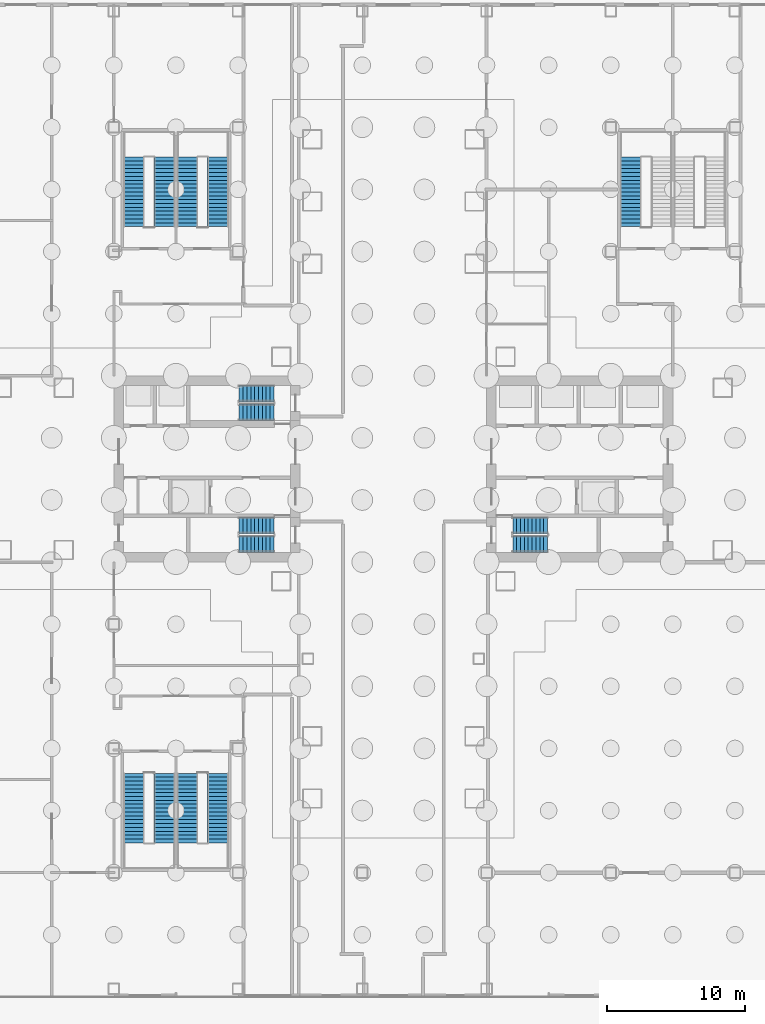
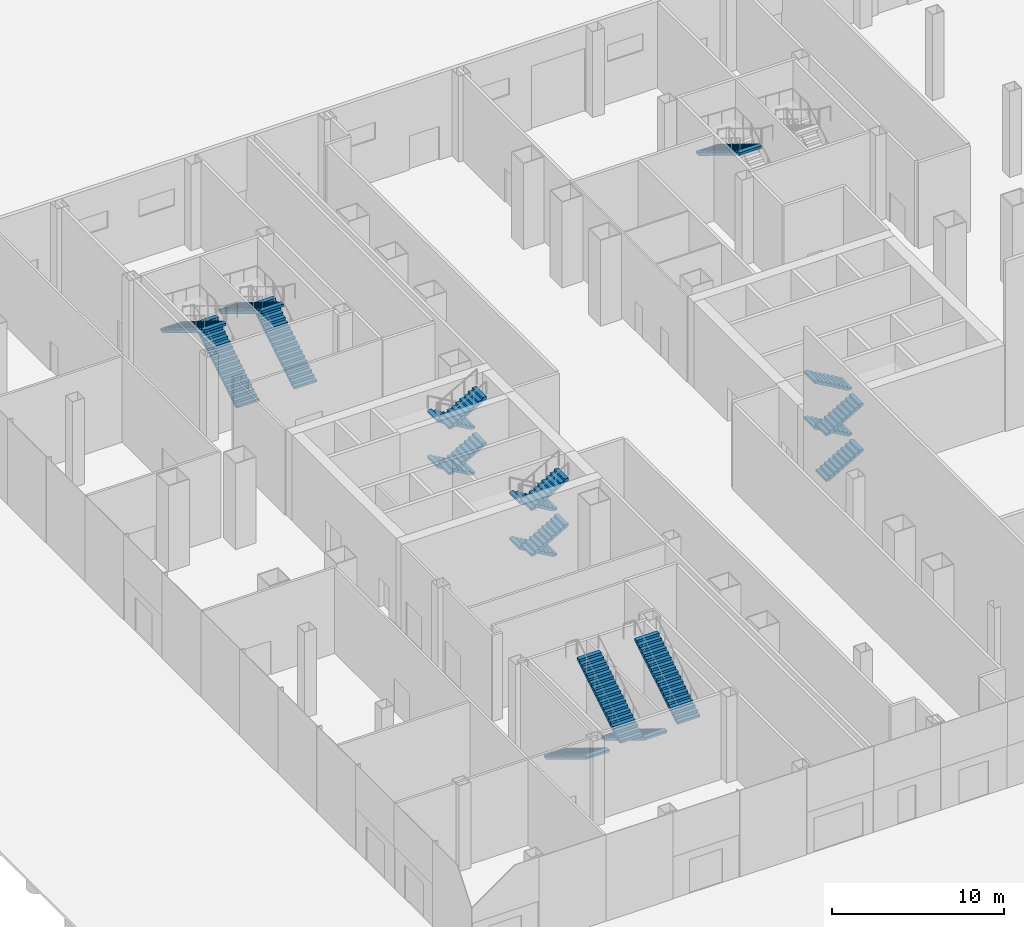
# One storey, part 27 of 37: 21 stair flights, 8 elements without a shape of their own.
"""IFC4 building model written with IfcOpenShell, lengths in metres."""

import ifcopenshell
import ifcopenshell.guid

model = None  # the IFC model being written
_history = None  # IfcOwnerHistory: only IFC2X3 demands one
_inside = {}  # id of a spatial element -> (the spatial element, [elements in it])
_under = {}  # id of a project, library or spatial element -> (it, [spatial elements below it])
_declared = {}  # id of a project -> (the project, [libraries it declares])
_typed = {}  # id of a type object -> (the type object, [elements of that type])
_made_of = {}  # id of a material, layer set ... -> (it, [elements and type objects made of it])


def new_model(schema):
    """Start an empty IFC model of exactly this schema.

    Asked for "IFC4X3", IfcOpenShell would pick the latest addendum, in which some entities
    have other attributes; the version numbers below select the first issue.
    IFC2X3 requires an IfcOwnerHistory on every rooted entity: one is made here for all.
    """
    global model, _history
    if schema == "IFC4X3":
        model = ifcopenshell.file(schema_version=(4, 3, 0, 0))
    else:
        model = ifcopenshell.file(schema=schema)
    _inside.clear()
    _under.clear()
    _declared.clear()
    _typed.clear()
    _made_of.clear()
    _history = None
    if model.schema == "IFC2X3":
        org = make("IfcOrganization", Name="unknown")
        user = make(
            "IfcPersonAndOrganization",
            ThePerson=make("IfcPerson", FamilyName="unknown"),
            TheOrganization=org,
        )
        app = make(
            "IfcApplication",
            ApplicationDeveloper=org,
            Version="unknown",
            ApplicationFullName="unknown",
            ApplicationIdentifier="unknown",
        )
        _history = make(
            "IfcOwnerHistory",
            OwningUser=user,
            OwningApplication=app,
            ChangeAction="ADDED",
            CreationDate=0,
        )
    return model


def make(cls, **values):
    """One entity of the class cls with the attributes given. An attribute that is None is left unset."""
    return model.create_entity(
        cls, **{name: value for name, value in values.items() if value is not None}
    )


def rooted(cls, **values):
    """An entity with a GlobalId (a new one), such as an element, a storey or a relation."""
    return make(cls, GlobalId=ifcopenshell.guid.new(), OwnerHistory=_history, **values)


def si_unit(unit_type, name, prefix=None):
    """IfcSIUnit, for example si_unit("LENGTHUNIT", "METRE", prefix="MILLI")."""
    return make("IfcSIUnit", UnitType=unit_type, Prefix=prefix, Name=name)


def assignment(units):
    """IfcUnitAssignment: the units of a project."""
    return None if units is None else make("IfcUnitAssignment", Units=units)


def point(xyz):
    """IfcCartesianPoint."""
    return None if xyz is None else make("IfcCartesianPoint", Coordinates=xyz)


def direction(xyz):
    """IfcDirection."""
    return None if xyz is None else make("IfcDirection", DirectionRatios=xyz)


def frame(location, z_axis=None, x_axis=None):
    """IfcAxis2Placement3D, a coordinate frame: its origin and axes. An axis left out is left unset."""
    return make(
        "IfcAxis2Placement3D",
        Location=point(location),
        Axis=direction(z_axis),
        RefDirection=direction(x_axis),
    )


def origin():
    """The frame at (0, 0, 0) with its axes left unset."""
    return frame((0.0, 0.0, 0.0))


def place(relative_to, where):
    """IfcLocalPlacement: puts the frame where relative to a parent placement (None: the world)."""
    return make(
        "IfcLocalPlacement", PlacementRelTo=relative_to, RelativePlacement=where
    )


def context(
    kind, dimensions, precision=None, world=None, true_north=None, identifier=None
):
    """IfcGeometricRepresentationContext, for example the 3D "Model" context."""
    return make(
        "IfcGeometricRepresentationContext",
        ContextIdentifier=identifier,
        ContextType=kind,
        CoordinateSpaceDimension=dimensions,
        Precision=precision,
        WorldCoordinateSystem=world,
        TrueNorth=true_north,
    )


def subcontext(parent, identifier, kind, view, scale=None):
    """IfcGeometricRepresentationSubContext, for example "Body" below "Model"."""
    return make(
        "IfcGeometricRepresentationSubContext",
        ContextIdentifier=identifier,
        ContextType=kind,
        ParentContext=parent,
        TargetScale=scale,
        TargetView=view,
    )


def project(units=None, contexts=None):
    """IfcProject with its units and contexts."""
    return rooted(
        "IfcProject",
        Name="project",
        RepresentationContexts=contexts,
        UnitsInContext=assignment(units),
    )


def spatial(cls, under=None, at=None, **own):
    """A site, building, storey or space (cls), placed at a placement, below another one or the project."""
    s = rooted(cls, ObjectPlacement=at, **own)
    if under is not None:
        _under.setdefault(under.id(), (under, []))[1].append(s)
    return s


def polyline(points):
    """IfcPolyline through the points."""
    return make("IfcPolyline", Points=[point(p) for p in points])


def outline(outer, holes=None, kind="AREA"):
    """IfcArbitraryClosedProfileDef: a profile drawn as a closed curve; with holes, ...WithVoids."""
    if holes is None:
        return make("IfcArbitraryClosedProfileDef", ProfileType=kind, OuterCurve=outer)
    return make(
        "IfcArbitraryProfileDefWithVoids",
        ProfileType=kind,
        OuterCurve=outer,
        InnerCurves=holes,
    )


def extrude(swept, where, along, depth):
    """IfcExtrudedAreaSolid: the profile swept, set in the frame where, extruded along a direction by depth."""
    return make(
        "IfcExtrudedAreaSolid",
        SweptArea=swept,
        Position=where,
        ExtrudedDirection=direction(along),
        Depth=depth,
    )


def shape(context_of_items, identifier, shape_type, items):
    """IfcShapeRepresentation: the items that make up one representation, for example the "Body"."""
    return make(
        "IfcShapeRepresentation",
        ContextOfItems=context_of_items,
        RepresentationIdentifier=identifier,
        RepresentationType=shape_type,
        Items=items,
    )


def material(Name=None, Category=None):
    """IfcMaterial."""
    return make("IfcMaterial", Name=Name, Category=Category)


def made_of(thing, what):
    """Note that an element or type object is made of a material, layer set ...; save() writes the relation."""
    if what is not None:
        _made_of.setdefault(what.id(), (what, []))[1].append(thing)
    return thing


def type_object(cls, material=None, **own):
    """A type object (cls), such as IfcWallType, which elements share."""
    return made_of(rooted(cls, **own), material)


def element(
    cls,
    number,
    at=None,
    inside=None,
    cuts=None,
    type_object=None,
    material=None,
    context=None,
    identifier="Body",
    shape_type=None,
    held_by="IfcProductDefinitionShape",
    body=None,
    shapes=None,
    **own,
):
    """One element of the class cls, such as IfcWall. Its Tag is "e" and its number.

    at: its placement. inside: the storey or other place that contains it. cuts: it is an
    opening in that element (IfcRelVoidsElement). A single representation is given by context,
    identifier, shape_type and body (its items); several are given by shapes. held_by: the class
    of the entity that holds the representations. save() writes the other relations.
    """
    e = rooted(cls, Tag="e%d" % number, ObjectPlacement=at, **own)
    if body is not None:
        shapes = [shape(context, identifier, shape_type, body)]
    if shapes is not None:
        e.Representation = make(held_by, Representations=shapes)
    if inside is not None:
        _inside.setdefault(inside.id(), (inside, []))[1].append(e)
    if cuts is not None:
        rooted(
            "IfcRelVoidsElement", RelatingBuildingElement=cuts, RelatedOpeningElement=e
        )
    if type_object is not None:
        _typed.setdefault(type_object.id(), (type_object, []))[1].append(e)
    return made_of(e, material)


def aggregate(whole, parts):
    """IfcRelAggregates: a whole, such as a stair, and the parts it consists of."""
    return rooted("IfcRelAggregates", RelatingObject=whole, RelatedObjects=parts)


def save(model, path):
    """Write the relations noted so far, then the file.

    IfcRelAggregates (storeys below a building ...), IfcRelContainedInSpatialStructure (elements
    in a storey), IfcRelDefinesByType, IfcRelAssociatesMaterial and IfcRelDeclares: one each for
    every whole, place, type object, material and project.
    """
    for whole, parts in _under.values():
        aggregate(whole, parts)
    for where, things in _inside.values():
        rooted(
            "IfcRelContainedInSpatialStructure",
            RelatedElements=things,
            RelatingStructure=where,
        )
    for kind, things in _typed.values():
        rooted("IfcRelDefinesByType", RelatedObjects=things, RelatingType=kind)
    for what, things in _made_of.values():
        rooted("IfcRelAssociatesMaterial", RelatedObjects=things, RelatingMaterial=what)
    for by, libraries in _declared.values():
        rooted("IfcRelDeclares", RelatingContext=by, RelatedDefinitions=libraries)
    model.write(path)


model = new_model("IFC4")

# Units and contexts
model_context = context("Model", 3, precision=1e-05, world=origin(), true_north=direction((0.0, 1.0)))
body_context = subcontext(model_context, "Body", "Model", "MODEL_VIEW")
ifc_project = project(units=[si_unit("LENGTHUNIT", "METRE"), si_unit("AREAUNIT", "SQUARE_METRE"), si_unit("VOLUMEUNIT", "CUBIC_METRE"), si_unit("PLANEANGLEUNIT", "RADIAN"), si_unit("MASSUNIT", "GRAM", prefix="KILO")], contexts=[model_context])

# Site, building, storey
site_placement = place(None, origin())
site = spatial("IfcSite", under=ifc_project, at=site_placement, CompositionType="ELEMENT")
building_placement = place(site_placement, origin())
building = spatial("IfcBuilding", under=site, at=building_placement, Name="Shamsa Quay Exchange Towers", CompositionType="ELEMENT")
storey_placement = place(building_placement, origin())
storey = spatial("IfcBuildingStorey", under=building, at=storey_placement, Name="L00", CompositionType="ELEMENT", Elevation=0.0)

# Stair, stair flights
ifc_material = material(Name="Concrete C40/50", Category="concrete")
stair_type_1 = type_object("IfcStairType", Name="EXIT STAIR 40 RISERS 162 MM", PredefinedType="HALF_TURN_STAIR", material=ifc_material)
stair_1_placement = place(storey_placement, origin())
stair_1 = element("IfcStair", 1, at=stair_1_placement, inside=storey, type_object=stair_type_1, Name="L00 Exit stair ST1", PredefinedType="HALF_TURN_STAIR")
stair_flight_type_1 = type_object("IfcStairFlightType", Name="EXIT STAIR FLIGHT 10 RISERS 162 MM", PredefinedType="STRAIGHT", material=ifc_material)
stair_flight_1_placement = place(storey_placement, frame((-25.10009765625, -5.449951171875, 0.0)))
stair_flight_1 = element("IfcStairFlight", 2, at=stair_flight_1_placement, type_object=stair_flight_type_1, Name="ST1 flight 1", NumberOfRisers=10, NumberOfTreads=9, PredefinedType="STRAIGHT", RiserHeight=0.1625, TreadLength=0.28, context=body_context, shape_type="SweptSolid", body=[
    extrude(outline(polyline([(0.0, 0.0), (0.0, 0.16259765625), (0.280029296875, 0.16259765625), (0.280029296875, 0.324951171875), (0.56005859375, 0.324951171875), (0.56005859375, 0.487548828125), (0.840087890625, 0.487548828125), (0.840087890625, 0.64990234375), (1.1201171875, 0.64990234375), (1.1201171875, 0.8125), (1.39990234375, 0.8125), (1.39990234375, 0.97509765625), (1.679931640625, 0.97509765625), (1.679931640625, 1.137451171875), (1.9599609375, 1.137451171875), (1.9599609375, 1.300048828125), (2.239990234375, 1.300048828125), (2.239990234375, 1.46240234375), (2.52001953125, 1.46240234375), (2.52001953125, 1.625), (2.52001953125, 1.30078125), (0.27880859375, 0.0), (0.0, 0.0)])), frame((0.0, 0.60009765625, 0.0), z_axis=(0.0, -1.0, 0.0), x_axis=(1.0, 0.0, 0.0)), (0.0, 0.0, 1.0), 1.199951171875),
])
stair_flight_2_placement = place(storey_placement, frame((-22.580078125, -4.10009765625, 1.625), z_axis=(0.0, 0.0, 1.0), x_axis=(-1.0, 0.0, 0.0)))
stair_flight_2 = element("IfcStairFlight", 3, at=stair_flight_2_placement, type_object=stair_flight_type_1, Name="ST1 flight 2", NumberOfRisers=10, NumberOfTreads=9, PredefinedType="STRAIGHT", RiserHeight=0.1625, TreadLength=0.28, context=body_context, shape_type="SweptSolid", body=[
    extrude(outline(polyline([(0.0, 0.0), (0.0, 0.16259765625), (0.280029296875, 0.16259765625), (0.280029296875, 0.324951171875), (0.56005859375, 0.324951171875), (0.56005859375, 0.487548828125), (0.840087890625, 0.487548828125), (0.840087890625, 0.64990234375), (1.1201171875, 0.64990234375), (1.1201171875, 0.8125), (1.39990234375, 0.8125), (1.39990234375, 0.97509765625), (1.679931640625, 0.97509765625), (1.679931640625, 1.137451171875), (1.9599609375, 1.137451171875), (1.9599609375, 1.300048828125), (2.239990234375, 1.300048828125), (2.239990234375, 1.46240234375), (2.52001953125, 1.46240234375), (2.52001953125, 1.625), (2.52001953125, 1.30078125), (0.27880859375, 0.0), (0.0, 0.0)])), frame((0.0, 0.60009765625, 0.0), z_axis=(0.0, -1.0, 0.0), x_axis=(1.0, 0.0, 0.0)), (0.0, 0.0, 1.0), 1.199951171875),
])
stair_flight_3_placement = place(storey_placement, frame((-25.10009765625, -5.449951171875, 3.25)))
stair_flight_3 = element("IfcStairFlight", 4, at=stair_flight_3_placement, type_object=stair_flight_type_1, Name="ST1 flight 3", NumberOfRisers=10, NumberOfTreads=9, PredefinedType="STRAIGHT", RiserHeight=0.1625, TreadLength=0.28, context=body_context, shape_type="SweptSolid", body=[
    extrude(outline(polyline([(0.0, 0.0), (0.0, 0.16259765625), (0.280029296875, 0.16259765625), (0.280029296875, 0.324951171875), (0.56005859375, 0.324951171875), (0.56005859375, 0.487548828125), (0.840087890625, 0.487548828125), (0.840087890625, 0.64990234375), (1.1201171875, 0.64990234375), (1.1201171875, 0.8125), (1.39990234375, 0.8125), (1.39990234375, 0.97509765625), (1.679931640625, 0.97509765625), (1.679931640625, 1.137451171875), (1.9599609375, 1.137451171875), (1.9599609375, 1.300048828125), (2.239990234375, 1.300048828125), (2.239990234375, 1.46240234375), (2.52001953125, 1.46240234375), (2.52001953125, 1.625), (2.52001953125, 1.30078125), (0.27880859375, 0.0), (0.0, 0.0)])), frame((0.0, 0.60009765625, 0.0), z_axis=(0.0, -1.0, 0.0), x_axis=(1.0, 0.0, 0.0)), (0.0, 0.0, 1.0), 1.199951171875),
])
stair_flight_4_placement = place(storey_placement, frame((-22.580078125, -4.10009765625, 4.875), z_axis=(0.0, 0.0, 1.0), x_axis=(-1.0, 0.0, 0.0)))
stair_flight_4 = element("IfcStairFlight", 5, at=stair_flight_4_placement, type_object=stair_flight_type_1, Name="ST1 flight 4", NumberOfRisers=10, NumberOfTreads=9, PredefinedType="STRAIGHT", RiserHeight=0.1625, TreadLength=0.28, context=body_context, shape_type="SweptSolid", body=[
    extrude(outline(polyline([(0.0, 0.0), (0.0, 0.16259765625), (0.280029296875, 0.16259765625), (0.280029296875, 0.324951171875), (0.56005859375, 0.324951171875), (0.56005859375, 0.487548828125), (0.840087890625, 0.487548828125), (0.840087890625, 0.64990234375), (1.1201171875, 0.64990234375), (1.1201171875, 0.8125), (1.39990234375, 0.8125), (1.39990234375, 0.97509765625), (1.679931640625, 0.97509765625), (1.679931640625, 1.137451171875), (1.9599609375, 1.137451171875), (1.9599609375, 1.300048828125), (2.239990234375, 1.300048828125), (2.239990234375, 1.46240234375), (2.52001953125, 1.46240234375), (2.52001953125, 1.625), (2.52001953125, 1.30078125), (0.27880859375, 0.0), (0.0, 0.0)])), frame((0.0, 0.60009765625, 0.0), z_axis=(0.0, -1.0, 0.0), x_axis=(1.0, 0.0, 0.0)), (0.0, 0.0, 1.0), 1.199951171875),
])
aggregate(stair_1, [stair_flight_1, stair_flight_2, stair_flight_3, stair_flight_4])

stair_2_placement = place(storey_placement, origin())
stair_2 = element("IfcStair", 6, at=stair_2_placement, inside=storey, type_object=stair_type_1, Name="L00 Exit stair ST2", PredefinedType="HALF_TURN_STAIR")
stair_flight_5_placement = place(storey_placement, frame((-42.39990234375, -4.10009765625, 0.0), z_axis=(0.0, 0.0, 1.0), x_axis=(-1.0, 0.0, 0.0)))
stair_flight_5 = element("IfcStairFlight", 7, at=stair_flight_5_placement, type_object=stair_flight_type_1, Name="ST2 flight 1", NumberOfRisers=10, NumberOfTreads=9, PredefinedType="STRAIGHT", RiserHeight=0.1625, TreadLength=0.28, context=body_context, shape_type="SweptSolid", body=[
    extrude(outline(polyline([(0.0, 0.0), (0.0, 0.16259765625), (0.280029296875, 0.16259765625), (0.280029296875, 0.324951171875), (0.56005859375, 0.324951171875), (0.56005859375, 0.487548828125), (0.840087890625, 0.487548828125), (0.840087890625, 0.64990234375), (1.1201171875, 0.64990234375), (1.1201171875, 0.8125), (1.39990234375, 0.8125), (1.39990234375, 0.97509765625), (1.679931640625, 0.97509765625), (1.679931640625, 1.137451171875), (1.9599609375, 1.137451171875), (1.9599609375, 1.300048828125), (2.239990234375, 1.300048828125), (2.239990234375, 1.46240234375), (2.52001953125, 1.46240234375), (2.52001953125, 1.625), (2.52001953125, 1.30078125), (0.27880859375, 0.0), (0.0, 0.0)])), frame((0.0, 0.60009765625, 0.0), z_axis=(0.0, -1.0, 0.0), x_axis=(1.0, 0.0, 0.0)), (0.0, 0.0, 1.0), 1.199951171875),
])
stair_flight_6_placement = place(storey_placement, frame((-44.919921875, -5.449951171875, 1.625)))
stair_flight_6 = element("IfcStairFlight", 8, at=stair_flight_6_placement, type_object=stair_flight_type_1, Name="ST2 flight 2", NumberOfRisers=10, NumberOfTreads=9, PredefinedType="STRAIGHT", RiserHeight=0.1625, TreadLength=0.28, context=body_context, shape_type="SweptSolid", body=[
    extrude(outline(polyline([(0.0, 0.0), (0.0, 0.16259765625), (0.280029296875, 0.16259765625), (0.280029296875, 0.324951171875), (0.56005859375, 0.324951171875), (0.56005859375, 0.487548828125), (0.840087890625, 0.487548828125), (0.840087890625, 0.64990234375), (1.1201171875, 0.64990234375), (1.1201171875, 0.8125), (1.39990234375, 0.8125), (1.39990234375, 0.97509765625), (1.679931640625, 0.97509765625), (1.679931640625, 1.137451171875), (1.9599609375, 1.137451171875), (1.9599609375, 1.300048828125), (2.239990234375, 1.300048828125), (2.239990234375, 1.46240234375), (2.52001953125, 1.46240234375), (2.52001953125, 1.625), (2.52001953125, 1.30078125), (0.27880859375, 0.0), (0.0, 0.0)])), frame((0.0, 0.60009765625, 0.0), z_axis=(0.0, -1.0, 0.0), x_axis=(1.0, 0.0, 0.0)), (0.0, 0.0, 1.0), 1.199951171875),
])
stair_flight_7_placement = place(storey_placement, frame((-42.39990234375, -4.10009765625, 3.25), z_axis=(0.0, 0.0, 1.0), x_axis=(-1.0, 0.0, 0.0)))
stair_flight_7 = element("IfcStairFlight", 9, at=stair_flight_7_placement, type_object=stair_flight_type_1, Name="ST2 flight 3", NumberOfRisers=10, NumberOfTreads=9, PredefinedType="STRAIGHT", RiserHeight=0.1625, TreadLength=0.28, context=body_context, shape_type="SweptSolid", body=[
    extrude(outline(polyline([(0.0, 0.0), (0.0, 0.16259765625), (0.280029296875, 0.16259765625), (0.280029296875, 0.324951171875), (0.56005859375, 0.324951171875), (0.56005859375, 0.487548828125), (0.840087890625, 0.487548828125), (0.840087890625, 0.64990234375), (1.1201171875, 0.64990234375), (1.1201171875, 0.8125), (1.39990234375, 0.8125), (1.39990234375, 0.97509765625), (1.679931640625, 0.97509765625), (1.679931640625, 1.137451171875), (1.9599609375, 1.137451171875), (1.9599609375, 1.300048828125), (2.239990234375, 1.300048828125), (2.239990234375, 1.46240234375), (2.52001953125, 1.46240234375), (2.52001953125, 1.625), (2.52001953125, 1.30078125), (0.27880859375, 0.0), (0.0, 0.0)])), frame((0.0, 0.60009765625, 0.0), z_axis=(0.0, -1.0, 0.0), x_axis=(1.0, 0.0, 0.0)), (0.0, 0.0, 1.0), 1.199951171875),
])
stair_flight_8_placement = place(storey_placement, frame((-44.919921875, -5.449951171875, 4.875)))
stair_flight_8 = element("IfcStairFlight", 10, at=stair_flight_8_placement, type_object=stair_flight_type_1, Name="ST2 flight 4", NumberOfRisers=10, NumberOfTreads=9, PredefinedType="STRAIGHT", RiserHeight=0.1625, TreadLength=0.28, context=body_context, shape_type="SweptSolid", body=[
    extrude(outline(polyline([(0.0, 0.0), (0.0, 0.16259765625), (0.280029296875, 0.16259765625), (0.280029296875, 0.324951171875), (0.56005859375, 0.324951171875), (0.56005859375, 0.487548828125), (0.840087890625, 0.487548828125), (0.840087890625, 0.64990234375), (1.1201171875, 0.64990234375), (1.1201171875, 0.8125), (1.39990234375, 0.8125), (1.39990234375, 0.97509765625), (1.679931640625, 0.97509765625), (1.679931640625, 1.137451171875), (1.9599609375, 1.137451171875), (1.9599609375, 1.300048828125), (2.239990234375, 1.300048828125), (2.239990234375, 1.46240234375), (2.52001953125, 1.46240234375), (2.52001953125, 1.625), (2.52001953125, 1.30078125), (0.27880859375, 0.0), (0.0, 0.0)])), frame((0.0, 0.60009765625, 0.0), z_axis=(0.0, -1.0, 0.0), x_axis=(1.0, 0.0, 0.0)), (0.0, 0.0, 1.0), 1.199951171875),
])
aggregate(stair_2, [stair_flight_5, stair_flight_6, stair_flight_7, stair_flight_8])

stair_3_placement = place(storey_placement, origin())
stair_3 = element("IfcStair", 11, at=stair_3_placement, inside=storey, type_object=stair_type_1, Name="L00 Exit stair ST3", PredefinedType="HALF_TURN_STAIR")
stair_flight_9_placement = place(storey_placement, frame((-42.39990234375, 5.449951171875, 0.0), z_axis=(0.0, 0.0, 1.0), x_axis=(-1.0, 0.0, 0.0)))
stair_flight_9 = element("IfcStairFlight", 12, at=stair_flight_9_placement, type_object=stair_flight_type_1, Name="ST3 flight 1", NumberOfRisers=10, NumberOfTreads=9, PredefinedType="STRAIGHT", RiserHeight=0.1625, TreadLength=0.28, context=body_context, shape_type="SweptSolid", body=[
    extrude(outline(polyline([(0.0, 0.0), (0.0, 0.16259765625), (0.280029296875, 0.16259765625), (0.280029296875, 0.324951171875), (0.56005859375, 0.324951171875), (0.56005859375, 0.487548828125), (0.840087890625, 0.487548828125), (0.840087890625, 0.64990234375), (1.1201171875, 0.64990234375), (1.1201171875, 0.8125), (1.39990234375, 0.8125), (1.39990234375, 0.97509765625), (1.679931640625, 0.97509765625), (1.679931640625, 1.137451171875), (1.9599609375, 1.137451171875), (1.9599609375, 1.300048828125), (2.239990234375, 1.300048828125), (2.239990234375, 1.46240234375), (2.52001953125, 1.46240234375), (2.52001953125, 1.625), (2.52001953125, 1.30078125), (0.27880859375, 0.0), (0.0, 0.0)])), frame((0.0, 0.60009765625, 0.0), z_axis=(0.0, -1.0, 0.0), x_axis=(1.0, 0.0, 0.0)), (0.0, 0.0, 1.0), 1.199951171875),
])
stair_flight_10_placement = place(storey_placement, frame((-44.919921875, 4.10009765625, 1.625)))
stair_flight_10 = element("IfcStairFlight", 13, at=stair_flight_10_placement, type_object=stair_flight_type_1, Name="ST3 flight 2", NumberOfRisers=10, NumberOfTreads=9, PredefinedType="STRAIGHT", RiserHeight=0.1625, TreadLength=0.28, context=body_context, shape_type="SweptSolid", body=[
    extrude(outline(polyline([(0.0, 0.0), (0.0, 0.16259765625), (0.280029296875, 0.16259765625), (0.280029296875, 0.324951171875), (0.56005859375, 0.324951171875), (0.56005859375, 0.487548828125), (0.840087890625, 0.487548828125), (0.840087890625, 0.64990234375), (1.1201171875, 0.64990234375), (1.1201171875, 0.8125), (1.39990234375, 0.8125), (1.39990234375, 0.97509765625), (1.679931640625, 0.97509765625), (1.679931640625, 1.137451171875), (1.9599609375, 1.137451171875), (1.9599609375, 1.300048828125), (2.239990234375, 1.300048828125), (2.239990234375, 1.46240234375), (2.52001953125, 1.46240234375), (2.52001953125, 1.625), (2.52001953125, 1.30078125), (0.27880859375, 0.0), (0.0, 0.0)])), frame((0.0, 0.60009765625, 0.0), z_axis=(0.0, -1.0, 0.0), x_axis=(1.0, 0.0, 0.0)), (0.0, 0.0, 1.0), 1.199951171875),
])
stair_flight_11_placement = place(storey_placement, frame((-42.39990234375, 5.449951171875, 3.25), z_axis=(0.0, 0.0, 1.0), x_axis=(-1.0, 0.0, 0.0)))
stair_flight_11 = element("IfcStairFlight", 14, at=stair_flight_11_placement, type_object=stair_flight_type_1, Name="ST3 flight 3", NumberOfRisers=10, NumberOfTreads=9, PredefinedType="STRAIGHT", RiserHeight=0.1625, TreadLength=0.28, context=body_context, shape_type="SweptSolid", body=[
    extrude(outline(polyline([(0.0, 0.0), (0.0, 0.16259765625), (0.280029296875, 0.16259765625), (0.280029296875, 0.324951171875), (0.56005859375, 0.324951171875), (0.56005859375, 0.487548828125), (0.840087890625, 0.487548828125), (0.840087890625, 0.64990234375), (1.1201171875, 0.64990234375), (1.1201171875, 0.8125), (1.39990234375, 0.8125), (1.39990234375, 0.97509765625), (1.679931640625, 0.97509765625), (1.679931640625, 1.137451171875), (1.9599609375, 1.137451171875), (1.9599609375, 1.300048828125), (2.239990234375, 1.300048828125), (2.239990234375, 1.46240234375), (2.52001953125, 1.46240234375), (2.52001953125, 1.625), (2.52001953125, 1.30078125), (0.27880859375, 0.0), (0.0, 0.0)])), frame((0.0, 0.60009765625, 0.0), z_axis=(0.0, -1.0, 0.0), x_axis=(1.0, 0.0, 0.0)), (0.0, 0.0, 1.0), 1.199951171875),
])
stair_flight_12_placement = place(storey_placement, frame((-44.919921875, 4.10009765625, 4.875)))
stair_flight_12 = element("IfcStairFlight", 15, at=stair_flight_12_placement, type_object=stair_flight_type_1, Name="ST3 flight 4", NumberOfRisers=10, NumberOfTreads=9, PredefinedType="STRAIGHT", RiserHeight=0.1625, TreadLength=0.28, context=body_context, shape_type="SweptSolid", body=[
    extrude(outline(polyline([(0.0, 0.0), (0.0, 0.16259765625), (0.280029296875, 0.16259765625), (0.280029296875, 0.324951171875), (0.56005859375, 0.324951171875), (0.56005859375, 0.487548828125), (0.840087890625, 0.487548828125), (0.840087890625, 0.64990234375), (1.1201171875, 0.64990234375), (1.1201171875, 0.8125), (1.39990234375, 0.8125), (1.39990234375, 0.97509765625), (1.679931640625, 0.97509765625), (1.679931640625, 1.137451171875), (1.9599609375, 1.137451171875), (1.9599609375, 1.300048828125), (2.239990234375, 1.300048828125), (2.239990234375, 1.46240234375), (2.52001953125, 1.46240234375), (2.52001953125, 1.625), (2.52001953125, 1.30078125), (0.27880859375, 0.0), (0.0, 0.0)])), frame((0.0, 0.60009765625, 0.0), z_axis=(0.0, -1.0, 0.0), x_axis=(1.0, 0.0, 0.0)), (0.0, 0.0, 1.0), 1.199951171875),
])
aggregate(stair_3, [stair_flight_9, stair_flight_10, stair_flight_11, stair_flight_12])

stair_type_2 = type_object("IfcStairType", Name="PODIUM EXIT STAIR 38 RISERS 171 MM 1500 WIDE", PredefinedType="HALF_TURN_STAIR", material=ifc_material)
stair_4_placement = place(storey_placement, origin())
stair_4 = element("IfcStair", 16, at=stair_4_placement, inside=storey, type_object=stair_type_2, Name="L00 Exit stair PS1A", PredefinedType="HALF_TURN_STAIR")
stair_flight_type_2 = type_object("IfcStairFlightType", Name="PODIUM EXIT STAIR FLIGHT 19 RISERS 171 MM 1500 WIDE", PredefinedType="STRAIGHT", material=ifc_material)
stair_flight_13_placement = place(storey_placement, frame((-50.324951171875, 17.550048828125, 0.0), z_axis=(0.0, 0.0, 1.0), x_axis=(0.0, 1.0, 0.0)))
stair_flight_13 = element("IfcStairFlight", 17, at=stair_flight_13_placement, type_object=stair_flight_type_2, Name="PS1A flight 1", NumberOfRisers=19, NumberOfTreads=18, PredefinedType="STRAIGHT", RiserHeight=0.171052632, TreadLength=0.28, context=body_context, shape_type="SweptSolid", body=[
    extrude(outline(polyline([(0.0, 0.0), (0.0, 0.171142578125), (0.280029296875, 0.171142578125), (0.280029296875, 0.342041015625), (0.56005859375, 0.342041015625), (0.56005859375, 0.51318359375), (0.840087890625, 0.51318359375), (0.840087890625, 0.684326171875), (1.1201171875, 0.684326171875), (1.1201171875, 0.855224609375), (1.39990234375, 0.855224609375), (1.39990234375, 1.0263671875), (1.679931640625, 1.0263671875), (1.679931640625, 1.197265625), (1.9599609375, 1.197265625), (1.9599609375, 1.368408203125), (2.239990234375, 1.368408203125), (2.239990234375, 1.53955078125), (2.52001953125, 1.53955078125), (2.52001953125, 1.71044921875), (2.800048828125, 1.71044921875), (2.800048828125, 1.881591796875), (3.080078125, 1.881591796875), (3.080078125, 2.052734375), (3.360107421875, 2.052734375), (3.360107421875, 2.2236328125), (3.639892578125, 2.2236328125), (3.639892578125, 2.394775390625), (3.919921875, 2.394775390625), (3.919921875, 2.565673828125), (4.199951171875, 2.565673828125), (4.199951171875, 2.73681640625), (4.47998046875, 2.73681640625), (4.47998046875, 2.907958984375), (4.760009765625, 2.907958984375), (4.760009765625, 3.078857421875), (5.0400390625, 3.078857421875), (5.0400390625, 3.25), (5.0400390625, 2.9033203125), (0.28759765625, 0.0), (0.0, 0.0)])), frame((0.0, 0.75, 0.0), z_axis=(0.0, -1.0, 0.0), x_axis=(1.0, 0.0, 0.0)), (0.0, 0.0, 1.0), 1.5),
])
stair_flight_14_placement = place(storey_placement, frame((-52.550048828125, 22.590087890625, 3.25), z_axis=(0.0, 0.0, 1.0), x_axis=(0.0, -1.0, 0.0)))
stair_flight_14 = element("IfcStairFlight", 18, at=stair_flight_14_placement, type_object=stair_flight_type_2, Name="PS1A flight 2", NumberOfRisers=19, NumberOfTreads=18, PredefinedType="STRAIGHT", RiserHeight=0.171052632, TreadLength=0.28, context=body_context, shape_type="SweptSolid", body=[
    extrude(outline(polyline([(0.0, 0.0), (0.0, 0.171142578125), (0.280029296875, 0.171142578125), (0.280029296875, 0.342041015625), (0.56005859375, 0.342041015625), (0.56005859375, 0.51318359375), (0.840087890625, 0.51318359375), (0.840087890625, 0.684326171875), (1.1201171875, 0.684326171875), (1.1201171875, 0.855224609375), (1.39990234375, 0.855224609375), (1.39990234375, 1.0263671875), (1.679931640625, 1.0263671875), (1.679931640625, 1.197265625), (1.9599609375, 1.197265625), (1.9599609375, 1.368408203125), (2.239990234375, 1.368408203125), (2.239990234375, 1.53955078125), (2.52001953125, 1.53955078125), (2.52001953125, 1.71044921875), (2.800048828125, 1.71044921875), (2.800048828125, 1.881591796875), (3.080078125, 1.881591796875), (3.080078125, 2.052734375), (3.360107421875, 2.052734375), (3.360107421875, 2.2236328125), (3.639892578125, 2.2236328125), (3.639892578125, 2.394775390625), (3.919921875, 2.394775390625), (3.919921875, 2.565673828125), (4.199951171875, 2.565673828125), (4.199951171875, 2.73681640625), (4.47998046875, 2.73681640625), (4.47998046875, 2.907958984375), (4.760009765625, 2.907958984375), (4.760009765625, 3.078857421875), (5.0400390625, 3.078857421875), (5.0400390625, 3.25), (5.0400390625, 2.9033203125), (0.28759765625, 0.0), (0.0, 0.0)])), frame((0.0, 0.75, 0.0), z_axis=(0.0, -1.0, 0.0), x_axis=(1.0, 0.0, 0.0)), (0.0, 0.0, 1.0), 1.5),
])
aggregate(stair_4, [stair_flight_13, stair_flight_14])

stair_5_placement = place(storey_placement, origin())
stair_5 = element("IfcStair", 19, at=stair_5_placement, inside=storey, type_object=stair_type_2, Name="L00 Exit stair PS1B", PredefinedType="HALF_TURN_STAIR")
stair_flight_15_placement = place(storey_placement, frame((-46.449951171875, 17.550048828125, 0.0), z_axis=(0.0, 0.0, 1.0), x_axis=(0.0, 1.0, 0.0)))
stair_flight_15 = element("IfcStairFlight", 20, at=stair_flight_15_placement, type_object=stair_flight_type_2, Name="PS1B flight 1", NumberOfRisers=19, NumberOfTreads=18, PredefinedType="STRAIGHT", RiserHeight=0.171052632, TreadLength=0.28, context=body_context, shape_type="SweptSolid", body=[
    extrude(outline(polyline([(0.0, 0.0), (0.0, 0.171142578125), (0.280029296875, 0.171142578125), (0.280029296875, 0.342041015625), (0.56005859375, 0.342041015625), (0.56005859375, 0.51318359375), (0.840087890625, 0.51318359375), (0.840087890625, 0.684326171875), (1.1201171875, 0.684326171875), (1.1201171875, 0.855224609375), (1.39990234375, 0.855224609375), (1.39990234375, 1.0263671875), (1.679931640625, 1.0263671875), (1.679931640625, 1.197265625), (1.9599609375, 1.197265625), (1.9599609375, 1.368408203125), (2.239990234375, 1.368408203125), (2.239990234375, 1.53955078125), (2.52001953125, 1.53955078125), (2.52001953125, 1.71044921875), (2.800048828125, 1.71044921875), (2.800048828125, 1.881591796875), (3.080078125, 1.881591796875), (3.080078125, 2.052734375), (3.360107421875, 2.052734375), (3.360107421875, 2.2236328125), (3.639892578125, 2.2236328125), (3.639892578125, 2.394775390625), (3.919921875, 2.394775390625), (3.919921875, 2.565673828125), (4.199951171875, 2.565673828125), (4.199951171875, 2.73681640625), (4.47998046875, 2.73681640625), (4.47998046875, 2.907958984375), (4.760009765625, 2.907958984375), (4.760009765625, 3.078857421875), (5.0400390625, 3.078857421875), (5.0400390625, 3.25), (5.0400390625, 2.9033203125), (0.28759765625, 0.0), (0.0, 0.0)])), frame((0.0, 0.75, 0.0), z_axis=(0.0, -1.0, 0.0), x_axis=(1.0, 0.0, 0.0)), (0.0, 0.0, 1.0), 1.5),
])
stair_flight_16_placement = place(storey_placement, frame((-48.675048828125, 22.590087890625, 3.25), z_axis=(0.0, 0.0, 1.0), x_axis=(0.0, -1.0, 0.0)))
stair_flight_16 = element("IfcStairFlight", 21, at=stair_flight_16_placement, type_object=stair_flight_type_2, Name="PS1B flight 2", NumberOfRisers=19, NumberOfTreads=18, PredefinedType="STRAIGHT", RiserHeight=0.171052632, TreadLength=0.28, context=body_context, shape_type="SweptSolid", body=[
    extrude(outline(polyline([(0.0, 0.0), (0.0, 0.171142578125), (0.280029296875, 0.171142578125), (0.280029296875, 0.342041015625), (0.56005859375, 0.342041015625), (0.56005859375, 0.51318359375), (0.840087890625, 0.51318359375), (0.840087890625, 0.684326171875), (1.1201171875, 0.684326171875), (1.1201171875, 0.855224609375), (1.39990234375, 0.855224609375), (1.39990234375, 1.0263671875), (1.679931640625, 1.0263671875), (1.679931640625, 1.197265625), (1.9599609375, 1.197265625), (1.9599609375, 1.368408203125), (2.239990234375, 1.368408203125), (2.239990234375, 1.53955078125), (2.52001953125, 1.53955078125), (2.52001953125, 1.71044921875), (2.800048828125, 1.71044921875), (2.800048828125, 1.881591796875), (3.080078125, 1.881591796875), (3.080078125, 2.052734375), (3.360107421875, 2.052734375), (3.360107421875, 2.2236328125), (3.639892578125, 2.2236328125), (3.639892578125, 2.394775390625), (3.919921875, 2.394775390625), (3.919921875, 2.565673828125), (4.199951171875, 2.565673828125), (4.199951171875, 2.73681640625), (4.47998046875, 2.73681640625), (4.47998046875, 2.907958984375), (4.760009765625, 2.907958984375), (4.760009765625, 3.078857421875), (5.0400390625, 3.078857421875), (5.0400390625, 3.25), (5.0400390625, 2.9033203125), (0.28759765625, 0.0), (0.0, 0.0)])), frame((0.0, 0.75, 0.0), z_axis=(0.0, -1.0, 0.0), x_axis=(1.0, 0.0, 0.0)), (0.0, 0.0, 1.0), 1.5),
])
aggregate(stair_5, [stair_flight_15, stair_flight_16])

# Stair, stair flight
stair_6_placement = place(storey_placement, origin())
stair_6 = element("IfcStair", 22, at=stair_6_placement, inside=storey, type_object=stair_type_2, Name="L00 Exit stair PS2A", PredefinedType="HALF_TURN_STAIR")
stair_flight_17_placement = place(storey_placement, frame((-16.550048828125, 22.590087890625, 3.25), z_axis=(0.0, 0.0, 1.0), x_axis=(0.0, -1.0, 0.0)))
stair_flight_17 = element("IfcStairFlight", 23, at=stair_flight_17_placement, type_object=stair_flight_type_2, Name="PS2A flight 2", NumberOfRisers=19, NumberOfTreads=18, PredefinedType="STRAIGHT", RiserHeight=0.171052632, TreadLength=0.28, context=body_context, shape_type="SweptSolid", body=[
    extrude(outline(polyline([(0.0, 0.0), (0.0, 0.171142578125), (0.280029296875, 0.171142578125), (0.280029296875, 0.342041015625), (0.56005859375, 0.342041015625), (0.56005859375, 0.51318359375), (0.840087890625, 0.51318359375), (0.840087890625, 0.684326171875), (1.1201171875, 0.684326171875), (1.1201171875, 0.855224609375), (1.39990234375, 0.855224609375), (1.39990234375, 1.0263671875), (1.679931640625, 1.0263671875), (1.679931640625, 1.197265625), (1.9599609375, 1.197265625), (1.9599609375, 1.368408203125), (2.239990234375, 1.368408203125), (2.239990234375, 1.53955078125), (2.52001953125, 1.53955078125), (2.52001953125, 1.71044921875), (2.800048828125, 1.71044921875), (2.800048828125, 1.881591796875), (3.080078125, 1.881591796875), (3.080078125, 2.052734375), (3.360107421875, 2.052734375), (3.360107421875, 2.2236328125), (3.639892578125, 2.2236328125), (3.639892578125, 2.394775390625), (3.919921875, 2.394775390625), (3.919921875, 2.565673828125), (4.199951171875, 2.565673828125), (4.199951171875, 2.73681640625), (4.47998046875, 2.73681640625), (4.47998046875, 2.907958984375), (4.760009765625, 2.907958984375), (4.760009765625, 3.078857421875), (5.0400390625, 3.078857421875), (5.0400390625, 3.25), (5.0400390625, 2.9033203125), (0.28759765625, 0.0), (0.0, 0.0)])), frame((0.0, 0.75, 0.0), z_axis=(0.0, -1.0, 0.0), x_axis=(1.0, 0.0, 0.0)), (0.0, 0.0, 1.0), 1.5),
])
aggregate(stair_6, [stair_flight_17])

# Stair, stair flights
stair_7_placement = place(storey_placement, origin())
stair_7 = element("IfcStair", 24, at=stair_7_placement, inside=storey, type_object=stair_type_2, Name="L00 Exit stair PS5A", PredefinedType="HALF_TURN_STAIR")
stair_flight_18_placement = place(storey_placement, frame((-52.550048828125, -22.050048828125, 0.0), z_axis=(0.0, 0.0, 1.0), x_axis=(0.0, -1.0, 0.0)))
stair_flight_18 = element("IfcStairFlight", 25, at=stair_flight_18_placement, type_object=stair_flight_type_2, Name="PS5A flight 1", NumberOfRisers=19, NumberOfTreads=18, PredefinedType="STRAIGHT", RiserHeight=0.171052632, TreadLength=0.28, context=body_context, shape_type="SweptSolid", body=[
    extrude(outline(polyline([(0.0, 0.0), (0.0, 0.171142578125), (0.280029296875, 0.171142578125), (0.280029296875, 0.342041015625), (0.56005859375, 0.342041015625), (0.56005859375, 0.51318359375), (0.840087890625, 0.51318359375), (0.840087890625, 0.684326171875), (1.1201171875, 0.684326171875), (1.1201171875, 0.855224609375), (1.39990234375, 0.855224609375), (1.39990234375, 1.0263671875), (1.679931640625, 1.0263671875), (1.679931640625, 1.197265625), (1.9599609375, 1.197265625), (1.9599609375, 1.368408203125), (2.239990234375, 1.368408203125), (2.239990234375, 1.53955078125), (2.52001953125, 1.53955078125), (2.52001953125, 1.71044921875), (2.800048828125, 1.71044921875), (2.800048828125, 1.881591796875), (3.080078125, 1.881591796875), (3.080078125, 2.052734375), (3.360107421875, 2.052734375), (3.360107421875, 2.2236328125), (3.639892578125, 2.2236328125), (3.639892578125, 2.394775390625), (3.919921875, 2.394775390625), (3.919921875, 2.565673828125), (4.199951171875, 2.565673828125), (4.199951171875, 2.73681640625), (4.47998046875, 2.73681640625), (4.47998046875, 2.907958984375), (4.760009765625, 2.907958984375), (4.760009765625, 3.078857421875), (5.0400390625, 3.078857421875), (5.0400390625, 3.25), (5.0400390625, 2.9033203125), (0.28759765625, 0.0), (0.0, 0.0)])), frame((0.0, 0.75, 0.0), z_axis=(0.0, -1.0, 0.0), x_axis=(1.0, 0.0, 0.0)), (0.0, 0.0, 1.0), 1.5),
])
stair_flight_19_placement = place(storey_placement, frame((-50.324951171875, -27.090087890625, 3.25), z_axis=(0.0, 0.0, 1.0), x_axis=(0.0, 1.0, 0.0)))
stair_flight_19 = element("IfcStairFlight", 26, at=stair_flight_19_placement, type_object=stair_flight_type_2, Name="PS5A flight 2", NumberOfRisers=19, NumberOfTreads=18, PredefinedType="STRAIGHT", RiserHeight=0.171052632, TreadLength=0.28, context=body_context, shape_type="SweptSolid", body=[
    extrude(outline(polyline([(0.0, 0.0), (0.0, 0.171142578125), (0.280029296875, 0.171142578125), (0.280029296875, 0.342041015625), (0.56005859375, 0.342041015625), (0.56005859375, 0.51318359375), (0.840087890625, 0.51318359375), (0.840087890625, 0.684326171875), (1.1201171875, 0.684326171875), (1.1201171875, 0.855224609375), (1.39990234375, 0.855224609375), (1.39990234375, 1.0263671875), (1.679931640625, 1.0263671875), (1.679931640625, 1.197265625), (1.9599609375, 1.197265625), (1.9599609375, 1.368408203125), (2.239990234375, 1.368408203125), (2.239990234375, 1.53955078125), (2.52001953125, 1.53955078125), (2.52001953125, 1.71044921875), (2.800048828125, 1.71044921875), (2.800048828125, 1.881591796875), (3.080078125, 1.881591796875), (3.080078125, 2.052734375), (3.360107421875, 2.052734375), (3.360107421875, 2.2236328125), (3.639892578125, 2.2236328125), (3.639892578125, 2.394775390625), (3.919921875, 2.394775390625), (3.919921875, 2.565673828125), (4.199951171875, 2.565673828125), (4.199951171875, 2.73681640625), (4.47998046875, 2.73681640625), (4.47998046875, 2.907958984375), (4.760009765625, 2.907958984375), (4.760009765625, 3.078857421875), (5.0400390625, 3.078857421875), (5.0400390625, 3.25), (5.0400390625, 2.9033203125), (0.28759765625, 0.0), (0.0, 0.0)])), frame((0.0, 0.75, 0.0), z_axis=(0.0, -1.0, 0.0), x_axis=(1.0, 0.0, 0.0)), (0.0, 0.0, 1.0), 1.5),
])
aggregate(stair_7, [stair_flight_18, stair_flight_19])

stair_8_placement = place(storey_placement, origin())
stair_8 = element("IfcStair", 27, at=stair_8_placement, inside=storey, type_object=stair_type_2, Name="L00 Exit stair PS5B", PredefinedType="HALF_TURN_STAIR")
stair_flight_20_placement = place(storey_placement, frame((-48.675048828125, -22.050048828125, 0.0), z_axis=(0.0, 0.0, 1.0), x_axis=(0.0, -1.0, 0.0)))
stair_flight_20 = element("IfcStairFlight", 28, at=stair_flight_20_placement, type_object=stair_flight_type_2, Name="PS5B flight 1", NumberOfRisers=19, NumberOfTreads=18, PredefinedType="STRAIGHT", RiserHeight=0.171052632, TreadLength=0.28, context=body_context, shape_type="SweptSolid", body=[
    extrude(outline(polyline([(0.0, 0.0), (0.0, 0.171142578125), (0.280029296875, 0.171142578125), (0.280029296875, 0.342041015625), (0.56005859375, 0.342041015625), (0.56005859375, 0.51318359375), (0.840087890625, 0.51318359375), (0.840087890625, 0.684326171875), (1.1201171875, 0.684326171875), (1.1201171875, 0.855224609375), (1.39990234375, 0.855224609375), (1.39990234375, 1.0263671875), (1.679931640625, 1.0263671875), (1.679931640625, 1.197265625), (1.9599609375, 1.197265625), (1.9599609375, 1.368408203125), (2.239990234375, 1.368408203125), (2.239990234375, 1.53955078125), (2.52001953125, 1.53955078125), (2.52001953125, 1.71044921875), (2.800048828125, 1.71044921875), (2.800048828125, 1.881591796875), (3.080078125, 1.881591796875), (3.080078125, 2.052734375), (3.360107421875, 2.052734375), (3.360107421875, 2.2236328125), (3.639892578125, 2.2236328125), (3.639892578125, 2.394775390625), (3.919921875, 2.394775390625), (3.919921875, 2.565673828125), (4.199951171875, 2.565673828125), (4.199951171875, 2.73681640625), (4.47998046875, 2.73681640625), (4.47998046875, 2.907958984375), (4.760009765625, 2.907958984375), (4.760009765625, 3.078857421875), (5.0400390625, 3.078857421875), (5.0400390625, 3.25), (5.0400390625, 2.9033203125), (0.28759765625, 0.0), (0.0, 0.0)])), frame((0.0, 0.75, 0.0), z_axis=(0.0, -1.0, 0.0), x_axis=(1.0, 0.0, 0.0)), (0.0, 0.0, 1.0), 1.5),
])
stair_flight_21_placement = place(storey_placement, frame((-46.449951171875, -27.090087890625, 3.25), z_axis=(0.0, 0.0, 1.0), x_axis=(0.0, 1.0, 0.0)))
stair_flight_21 = element("IfcStairFlight", 29, at=stair_flight_21_placement, type_object=stair_flight_type_2, Name="PS5B flight 2", NumberOfRisers=19, NumberOfTreads=18, PredefinedType="STRAIGHT", RiserHeight=0.171052632, TreadLength=0.28, context=body_context, shape_type="SweptSolid", body=[
    extrude(outline(polyline([(0.0, 0.0), (0.0, 0.171142578125), (0.280029296875, 0.171142578125), (0.280029296875, 0.342041015625), (0.56005859375, 0.342041015625), (0.56005859375, 0.51318359375), (0.840087890625, 0.51318359375), (0.840087890625, 0.684326171875), (1.1201171875, 0.684326171875), (1.1201171875, 0.855224609375), (1.39990234375, 0.855224609375), (1.39990234375, 1.0263671875), (1.679931640625, 1.0263671875), (1.679931640625, 1.197265625), (1.9599609375, 1.197265625), (1.9599609375, 1.368408203125), (2.239990234375, 1.368408203125), (2.239990234375, 1.53955078125), (2.52001953125, 1.53955078125), (2.52001953125, 1.71044921875), (2.800048828125, 1.71044921875), (2.800048828125, 1.881591796875), (3.080078125, 1.881591796875), (3.080078125, 2.052734375), (3.360107421875, 2.052734375), (3.360107421875, 2.2236328125), (3.639892578125, 2.2236328125), (3.639892578125, 2.394775390625), (3.919921875, 2.394775390625), (3.919921875, 2.565673828125), (4.199951171875, 2.565673828125), (4.199951171875, 2.73681640625), (4.47998046875, 2.73681640625), (4.47998046875, 2.907958984375), (4.760009765625, 2.907958984375), (4.760009765625, 3.078857421875), (5.0400390625, 3.078857421875), (5.0400390625, 3.25), (5.0400390625, 2.9033203125), (0.28759765625, 0.0), (0.0, 0.0)])), frame((0.0, 0.75, 0.0), z_axis=(0.0, -1.0, 0.0), x_axis=(1.0, 0.0, 0.0)), (0.0, 0.0, 1.0), 1.5),
])
aggregate(stair_8, [stair_flight_20, stair_flight_21])

save(model, "model.ifc")
